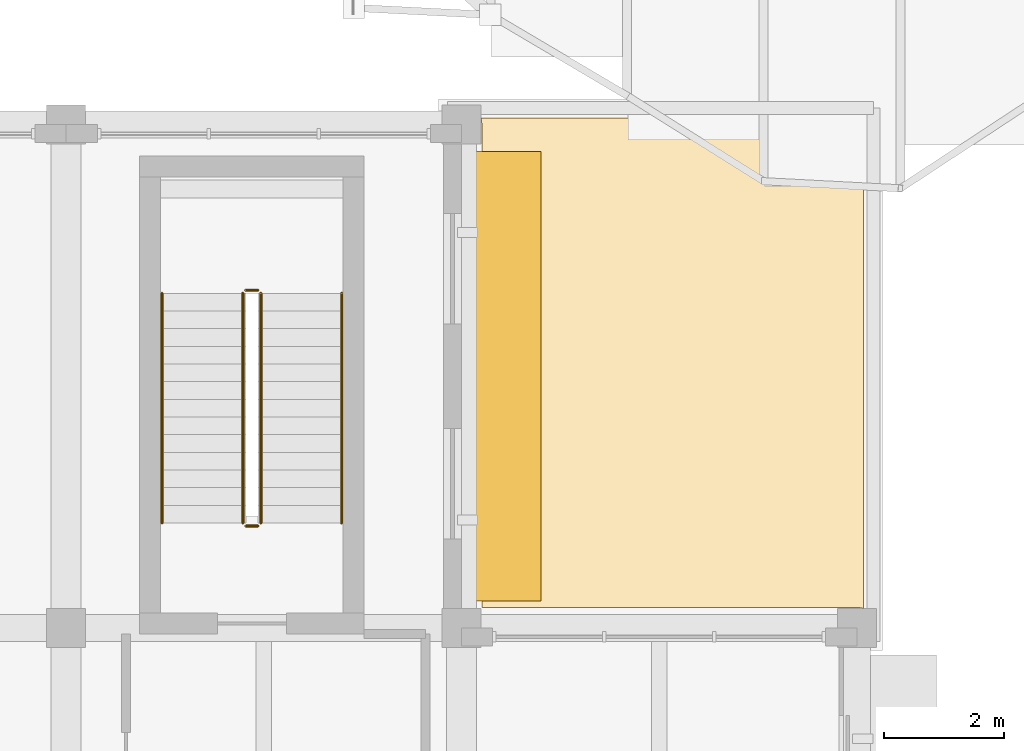
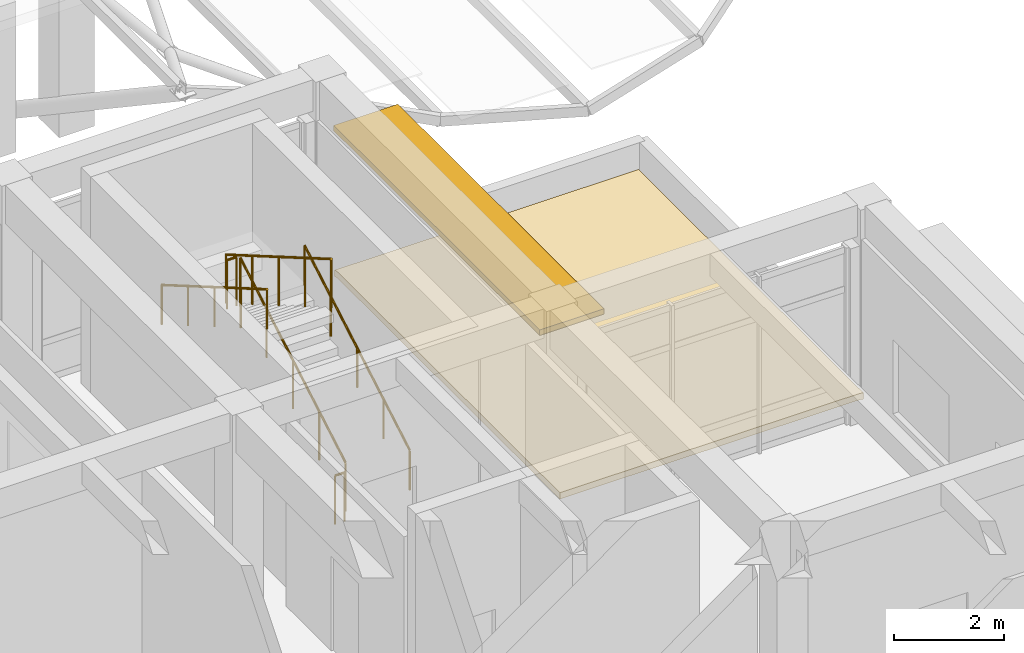
# One storey, part 70 of 79: 6 railings, 1 covering, 1 shading device.
"""IFC4 building model written with IfcOpenShell, lengths in metres."""

from ifc_helpers import new_model, si_unit, direction, frame, origin, origin_2d, place, context, subcontext, project, spatial, polyline, rectangle, circle, outline, extrude, material, layer, layer_set, type_object, element, save


model = new_model("IFC4")

# Units and contexts
model_context = context("Model", 3, precision=1e-05, world=origin(), true_north=direction((0.0, 1.0)))
body_context = subcontext(model_context, "Body", "Model", "MODEL_VIEW")
ifc_project = project(units=[si_unit("LENGTHUNIT", "METRE"), si_unit("AREAUNIT", "SQUARE_METRE"), si_unit("VOLUMEUNIT", "CUBIC_METRE"), si_unit("PLANEANGLEUNIT", "RADIAN"), si_unit("MASSUNIT", "GRAM", prefix="KILO")], contexts=[model_context])

# Site, building, storey
site_placement = place(None, origin())
site = spatial("IfcSite", under=ifc_project, at=site_placement, CompositionType="ELEMENT")
building_placement = place(site_placement, origin())
building = spatial("IfcBuilding", under=site, at=building_placement, Name="Kolvaren Faculty of Natural Sciences", CompositionType="ELEMENT")
storey_placement = place(building_placement, frame((0.0, 0.0, 10.199951171875)))
storey = spatial("IfcBuildingStorey", under=building, at=storey_placement, Name="L02", CompositionType="ELEMENT", Elevation=10.199951171875)

# Shading device
ifc_material_1 = material(Name="Precast concrete C35/45", Category="concrete")
ifc_layer_1 = layer(ifc_material_1, 0.1201171875)
ifc_layer_set_1 = layer_set([ifc_layer_1], Name="Precast concrete C35/45")
shading_device_type = type_object("IfcShadingDeviceType", Name="ChhajjaSolarHood_1350", PredefinedType="AWNING", material=ifc_layer_set_1)
shading_device_placement = place(storey_placement, frame((40.455078125, 38.0, 3.695068359375), z_axis=(0.0, 0.0, 1.0), x_axis=(0.0, -1.0, 0.0)))
element("IfcShadingDevice", 1, at=shading_device_placement, inside=storey, type_object=shading_device_type, Name="L02 precast sandstone chhajja solar hood 87", PredefinedType="AWNING", context=body_context, shape_type="SweptSolid", body=[
    extrude(rectangle(XDim=7.5, YDim=1.35009765625, at=origin_2d()), origin(), (0.0, 0.0, 1.0), 0.1201171875),
])

# Covering
ifc_material_2 = material(Name="SBS polymer-modified bitumen waterproofing membrane over PIR insulation")
ifc_layer_2 = layer(ifc_material_2, 0.139892578125)
ifc_layer_set_2 = layer_set([ifc_layer_2], Name="SBS polymer-modified bitumen waterproofing membrane over PIR insulation")
covering_type = type_object("IfcCoveringType", Name="InsulatedRoofMembrane_140", PredefinedType="ROOFING", material=ifc_layer_set_2)
covering_placement = place(storey_placement, origin())
element("IfcCovering", 2, at=covering_placement, inside=storey, type_object=covering_type, Name="L02 insulated warm-roof waterproofing membrane 1", PredefinedType="ROOFING", context=body_context, shape_type="SweptSolid", body=[
    extrude(outline(polyline([(40.12158203125, 42.31005859375), (46.510009765625, 42.31005859375), (46.510009765625, 34.12158203125), (46.504150390625, 34.12353515625), (46.502197265625, 34.124267578125), (46.4873046875, 34.128662109375), (46.4853515625, 34.129150390625), (46.453857421875, 34.1357421875), (46.451904296875, 34.135986328125), (46.41796875, 34.139404296875), (46.416015625, 34.1396484375), (46.39990234375, 34.139892578125), (40.139892578125, 34.139892578125), (40.139892578125, 42.199951171875), (40.1396484375, 42.216064453125), (40.139404296875, 42.218017578125), (40.135986328125, 42.251953125), (40.1357421875, 42.25390625), (40.129150390625, 42.285400390625), (40.128662109375, 42.287109375), (40.124267578125, 42.30224609375), (40.12353515625, 42.30419921875), (40.12158203125, 42.31005859375)])), origin(), (0.0, 0.0, 1.0), 0.14013671875),
])

# Railings
ifc_material_3 = material(Name="Structural steel EN 10210-1 S355J2H", Category="steel")
ifc_layer_3 = layer(ifc_material_3, 0.048095703125)
ifc_layer_set_3 = layer_set([ifc_layer_3], Name="Structural steel EN 10210-1 S355J2H")
railing_type_1 = type_object("IfcRailingType", Name="StairPitchHandrail_920", PredefinedType="HANDRAIL", material=ifc_layer_set_3)
railing_1_placement = place(storey_placement, frame((37.800048828125, 35.550048828125, 0.17138671875)))
element("IfcRailing", 3, at=railing_1_placement, inside=storey, type_object=railing_type_1, Name="L02 ST-4 stair handrail 1", PredefinedType="HANDRAIL", context=body_context, shape_type="SweptSolid", body=[
    extrude(circle(Radius=0.02392578125, at=origin_2d()), frame((0.0, 0.0, 0.8759765625), z_axis=(0.0, 0.864592272851, 0.502474080651), x_axis=(-1.0, 0.0, 0.0)), (0.0, 0.0, 1.0), 4.435546875),
    extrude(circle(Radius=0.02099609375, at=origin_2d()), origin(), (0.0, 0.0, 1.0), 0.851806640625),
    extrude(circle(Radius=0.02099609375, at=origin_2d()), frame((0.0, 0.958740234375, 0.55712890625)), (0.0, 0.0, 1.0), 0.851806640625),
    extrude(circle(Radius=0.02099609375, at=origin_2d()), frame((0.0, 1.91748046875, 1.1142578125)), (0.0, 0.0, 1.0), 0.851806640625),
    extrude(circle(Radius=0.02099609375, at=origin_2d()), frame((0.0, 2.876220703125, 1.671630859375)), (0.0, 0.0, 1.0), 0.851806640625),
    extrude(circle(Radius=0.02099609375, at=origin_2d()), frame((0.0, 3.8349609375, 2.228759765625)), (0.0, 0.0, 1.0), 0.851806640625),
])
railing_2_placement = place(storey_placement, frame((34.800048828125, 39.385009765625, 2.571533203125)))
element("IfcRailing", 4, at=railing_2_placement, inside=storey, type_object=railing_type_1, Name="L02 ST-4 stair handrail 2", PredefinedType="HANDRAIL", context=body_context, shape_type="SweptSolid", body=[
    extrude(circle(Radius=0.02392578125, at=origin_2d()), frame((0.0, 0.0, 0.8759765625), z_axis=(0.0, -0.86461618451, 0.502432934314), x_axis=(1.0, 0.0, 0.0)), (0.0, 0.0, 1.0), 4.435546875),
    extrude(circle(Radius=0.02099609375, at=origin_2d()), origin(), (0.0, 0.0, 1.0), 0.851806640625),
    extrude(circle(Radius=0.02099609375, at=origin_2d()), frame((0.0, -0.958740234375, 0.55712890625)), (0.0, 0.0, 1.0), 0.851806640625),
    extrude(circle(Radius=0.02099609375, at=origin_2d()), frame((0.0, -1.91748046875, 1.1142578125)), (0.0, 0.0, 1.0), 0.851806640625),
    extrude(circle(Radius=0.02099609375, at=origin_2d()), frame((0.0, -2.876220703125, 1.67138671875)), (0.0, 0.0, 1.0), 0.851806640625),
    extrude(circle(Radius=0.02099609375, at=origin_2d()), frame((0.0, -3.8349609375, 2.228515625)), (0.0, 0.0, 1.0), 0.851806640625),
])
ifc_layer_4 = layer(ifc_material_3, 0.048095703125)
ifc_layer_set_4 = layer_set([ifc_layer_4], Name="Structural steel EN 10210-1 S355J2H")
railing_type_2 = type_object("IfcRailingType", Name="StairWellGuard_1100", PredefinedType="BALUSTRADE", material=ifc_layer_set_4)
railing_3_placement = place(storey_placement, frame((36.449951171875, 35.550048828125, 0.17138671875)))
element("IfcRailing", 5, at=railing_3_placement, inside=storey, type_object=railing_type_2, Name="L02 ST-4 stair guard 1", PredefinedType="BALUSTRADE", context=body_context, shape_type="SweptSolid", body=[
    extrude(circle(Radius=0.02392578125, at=origin_2d()), frame((0.0, 0.0, 1.076171875), z_axis=(0.0, 0.864592272851, 0.502474080651), x_axis=(-1.0, 0.0, 0.0)), (0.0, 0.0, 1.0), 4.435546875),
    extrude(circle(Radius=0.02099609375, at=origin_2d()), origin(), (0.0, 0.0, 1.0), 1.052001953125),
    extrude(circle(Radius=0.02099609375, at=origin_2d()), frame((0.0, 0.958740234375, 0.55712890625)), (0.0, 0.0, 1.0), 1.052001953125),
    extrude(circle(Radius=0.02099609375, at=origin_2d()), frame((0.0, 1.91748046875, 1.1142578125)), (0.0, 0.0, 1.0), 1.052001953125),
    extrude(circle(Radius=0.02099609375, at=origin_2d()), frame((0.0, 2.876220703125, 1.671630859375)), (0.0, 0.0, 1.0), 1.052001953125),
    extrude(circle(Radius=0.02099609375, at=origin_2d()), frame((0.0, 3.8349609375, 2.228759765625)), (0.0, 0.0, 1.0), 1.052001953125),
])
railing_4_placement = place(storey_placement, frame((36.39990234375, 39.43505859375, 2.400146484375)))
element("IfcRailing", 6, at=railing_4_placement, inside=storey, type_object=railing_type_2, Name="L02 ST-4 stair guard 2", PredefinedType="BALUSTRADE", context=body_context, shape_type="SweptSolid", body=[
    extrude(circle(Radius=0.02392578125, at=origin_2d()), frame((0.0, 0.0, 1.076171875), z_axis=(-1.0, 0.0, 0.0), x_axis=(0.0, -1.0, 0.0)), (0.0, 0.0, 1.0), 0.199951171875),
    extrude(circle(Radius=0.02099609375, at=origin_2d()), origin(), (0.0, 0.0, 1.0), 1.052001953125),
    extrude(circle(Radius=0.02099609375, at=origin_2d()), frame((-0.199951171875, 0.0, 0.0)), (0.0, 0.0, 1.0), 1.052001953125),
])
railing_5_placement = place(storey_placement, frame((36.14990234375, 39.385009765625, 2.571533203125)))
element("IfcRailing", 7, at=railing_5_placement, inside=storey, type_object=railing_type_2, Name="L02 ST-4 stair guard 3", PredefinedType="BALUSTRADE", context=body_context, shape_type="SweptSolid", body=[
    extrude(circle(Radius=0.02392578125, at=origin_2d()), frame((0.0, 0.0, 1.076171875), z_axis=(0.0, -0.86461618451, 0.502432934314), x_axis=(1.0, 0.0, 0.0)), (0.0, 0.0, 1.0), 4.435546875),
    extrude(circle(Radius=0.02099609375, at=origin_2d()), origin(), (0.0, 0.0, 1.0), 1.052001953125),
    extrude(circle(Radius=0.02099609375, at=origin_2d()), frame((0.0, -0.958740234375, 0.55712890625)), (0.0, 0.0, 1.0), 1.052001953125),
    extrude(circle(Radius=0.02099609375, at=origin_2d()), frame((0.0, -1.91748046875, 1.1142578125)), (0.0, 0.0, 1.0), 1.052001953125),
    extrude(circle(Radius=0.02099609375, at=origin_2d()), frame((0.0, -2.876220703125, 1.67138671875)), (0.0, 0.0, 1.0), 1.052001953125),
    extrude(circle(Radius=0.02099609375, at=origin_2d()), frame((0.0, -3.8349609375, 2.228515625)), (0.0, 0.0, 1.0), 1.052001953125),
])
railing_6_placement = place(storey_placement, frame((36.39990234375, 35.5, 0.0)))
element("IfcRailing", 8, at=railing_6_placement, inside=storey, type_object=railing_type_2, Name="L02 ST-4 stair guard 4", PredefinedType="BALUSTRADE", context=body_context, shape_type="SweptSolid", body=[
    extrude(circle(Radius=0.02392578125, at=origin_2d()), frame((0.0, 0.0, 1.076171875), z_axis=(-1.0, 0.0, 0.0), x_axis=(0.0, -1.0, 0.0)), (0.0, 0.0, 1.0), 0.199951171875),
    extrude(circle(Radius=0.02099609375, at=origin_2d()), origin(), (0.0, 0.0, 1.0), 1.052001953125),
    extrude(circle(Radius=0.02099609375, at=origin_2d()), frame((-0.199951171875, 0.0, 0.0)), (0.0, 0.0, 1.0), 1.052001953125),
])

save(model, "model.ifc")
